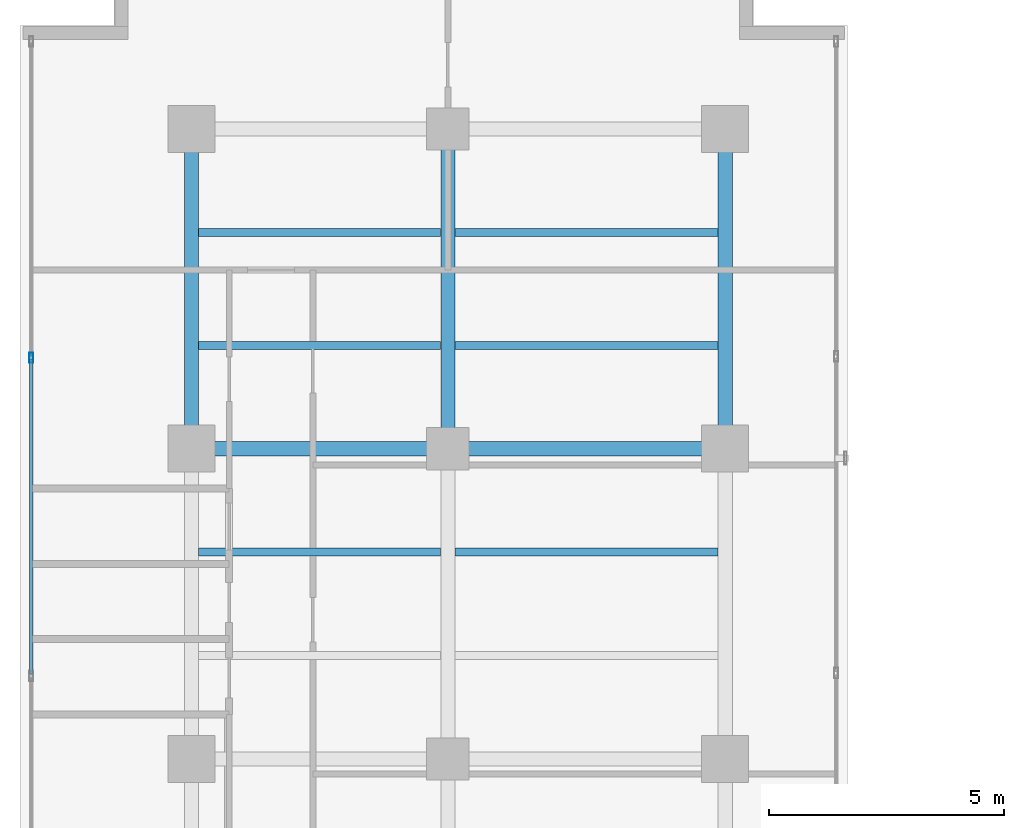
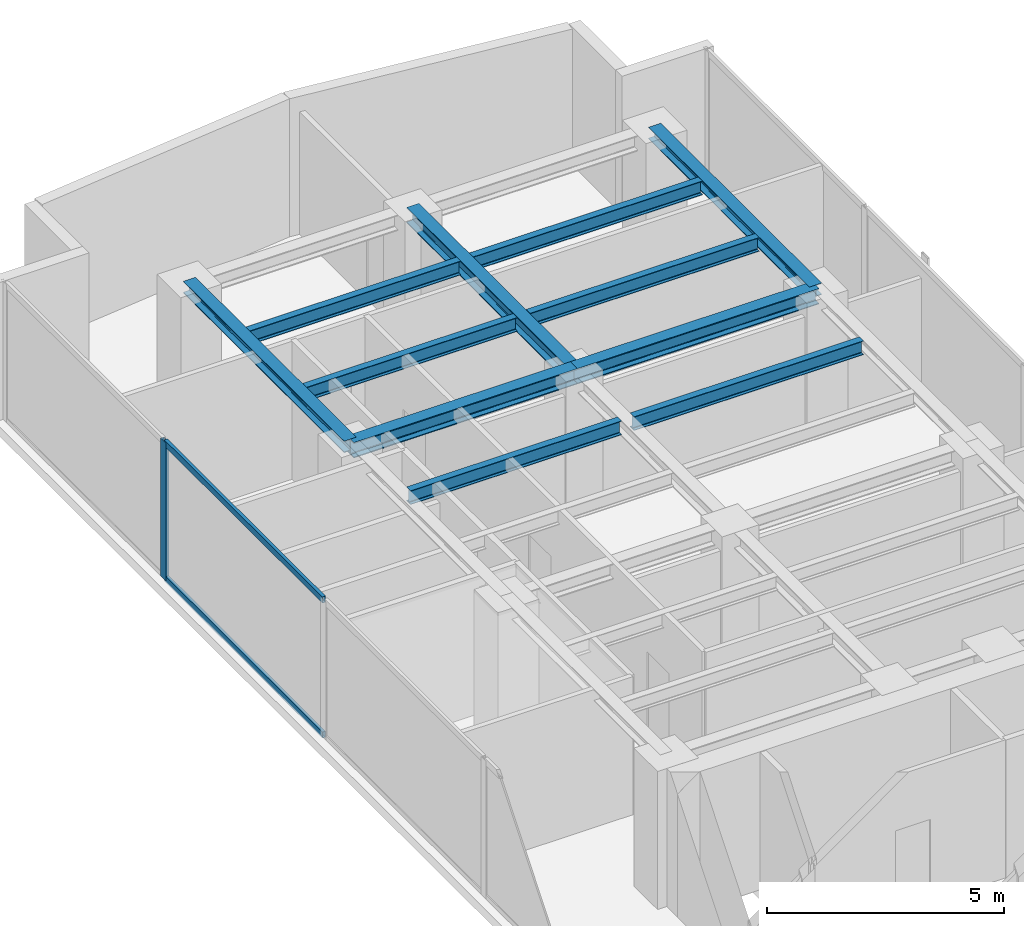
# One storey, part 13 of 23: 11 beams, 3 members, 1 element without a shape of its own.
"""IFC4 building model written with IfcOpenShell, lengths in metres."""

from ifc_helpers import new_model, si_unit, direction, frame, origin, origin_with_axes, origin_2d, place, context, subcontext, project, spatial, hollow_rectangle, i_section, extrude, source, transform, mapped, material, layer, layer_set, material_profile, profile_set, type_object, element, aggregate, save


model = new_model("IFC4")

# Units and contexts
model_context = context("Model", 3, precision=1e-05, world=origin(), true_north=direction((0.0, 1.0)))
body_context = subcontext(model_context, "Body", "Model", "MODEL_VIEW")
ifc_project = project(units=[si_unit("LENGTHUNIT", "METRE"), si_unit("AREAUNIT", "SQUARE_METRE"), si_unit("VOLUMEUNIT", "CUBIC_METRE"), si_unit("PLANEANGLEUNIT", "RADIAN"), si_unit("MASSUNIT", "GRAM", prefix="KILO")], contexts=[model_context])

# Site, building, storey
site_placement = place(None, origin())
site = spatial("IfcSite", under=ifc_project, at=site_placement, CompositionType="ELEMENT")
building_placement = place(site_placement, origin())
building = spatial("IfcBuilding", under=site, at=building_placement, Name="Kolvaren Waterfront Exchange", CompositionType="ELEMENT")
storey_placement = place(building_placement, frame((0.0, 0.0, 234.89990234375)))
storey = spatial("IfcBuildingStorey", under=building, at=storey_placement, Name="L60", CompositionType="ELEMENT", Elevation=234.89990234375)

# Beams
ifc_material_1 = material(Name="Steel S355", Category="steel")
ifc_material_profile_1 = material_profile(ifc_material_1, i_section(OverallWidth=0.300048828125, OverallDepth=0.300048828125, WebThickness=0.010986328125, FlangeThickness=0.01904296875, FilletRadius=0.027099609375, at=origin_2d()), Name="HEB300")
ifc_profile_set_1 = profile_set([ifc_material_profile_1], Name="Steel S355")
beam_type_1 = type_object("IfcBeamType", Name="STR-BM-HEB300", PredefinedType="SPANDREL", material=ifc_profile_set_1)
for number, where, z_axis, x_axis, name in (
    (1, (7.449951171875, 37.800048828125, 3.41015625), (0.0, 1.0, 0.0), (-1.0, 0.0, 0.0), "L60 north-arm edge beam 3"),
    (2, (18.800048828125, 37.800048828125, 3.41015625), (0.0, 1.0, 0.0), (-1.0, 0.0, 0.0), "L60 north-arm edge beam 3"),
):
    element("IfcBeam", number, at=place(storey_placement, frame(where, z_axis=z_axis, x_axis=x_axis)), inside=storey, type_object=beam_type_1, Name=name, PredefinedType="SPANDREL", context=body_context, shape_type="SweptSolid", body=[
        extrude(i_section(OverallWidth=0.300048828125, OverallDepth=0.300048828125, WebThickness=0.010986328125, FlangeThickness=0.01904296875, FilletRadius=0.027099609375, at=origin_2d()), origin(), (0.0, 0.0, 1.0), 6.800048828125),
    ])
ifc_material_profile_2 = material_profile(ifc_material_1, i_section(OverallWidth=0.300048828125, OverallDepth=0.39990234375, WebThickness=0.013427734375, FlangeThickness=0.02392578125, FilletRadius=0.027099609375, at=origin_2d()), Name="HEB400")
ifc_profile_set_2 = profile_set([ifc_material_profile_2], Name="Steel S355")
beam_type_2 = type_object("IfcBeamType", Name="STR-BM-HEB400", PredefinedType="BEAM", material=ifc_profile_set_2)
beam_1_placement = place(storey_placement, frame((7.449951171875, 37.800048828125, 3.360107421875), z_axis=(1.0, 0.0, 0.0), x_axis=(0.0, 1.0, 0.0)))
element("IfcBeam", 3, at=beam_1_placement, inside=storey, type_object=beam_type_2, Name="L60 north-arm girder 3A", PredefinedType="BEAM", context=body_context, shape_type="SweptSolid", body=[
    extrude(i_section(OverallWidth=0.300048828125, OverallDepth=0.39990234375, WebThickness=0.013427734375, FlangeThickness=0.02392578125, FilletRadius=0.027099609375, at=origin_2d()), origin(), (0.0, 0.0, 1.0), 5.449951171875),
])
beam_2_placement = place(storey_placement, frame((12.89990234375, 37.800048828125, 3.360107421875), z_axis=(1.0, 0.0, 0.0), x_axis=(0.0, 1.0, 0.0)))
element("IfcBeam", 4, at=beam_2_placement, inside=storey, type_object=beam_type_2, Name="L60 north-arm girder 3B", PredefinedType="BEAM", context=body_context, shape_type="SweptSolid", body=[
    extrude(i_section(OverallWidth=0.300048828125, OverallDepth=0.39990234375, WebThickness=0.013427734375, FlangeThickness=0.02392578125, FilletRadius=0.027099609375, at=origin_2d()), origin(), (0.0, 0.0, 1.0), 5.900146484375),
])
beam_3_placement = place(storey_placement, frame((12.89990234375, 37.800048828125, 3.360107421875), z_axis=(0.0, 1.0, 0.0), x_axis=(-1.0, 0.0, 0.0)))
element("IfcBeam", 5, at=beam_3_placement, inside=storey, type_object=beam_type_2, Name="L60 north-arm edge beam 3", PredefinedType="BEAM", context=body_context, shape_type="SweptSolid", body=[
    extrude(i_section(OverallWidth=0.300048828125, OverallDepth=0.39990234375, WebThickness=0.013427734375, FlangeThickness=0.02392578125, FilletRadius=0.027099609375, at=origin_2d()), origin(), (0.0, 0.0, 1.0), 6.800048828125),
])
ifc_material_profile_3 = material_profile(ifc_material_1, i_section(OverallWidth=0.169921875, OverallDepth=0.360107421875, WebThickness=0.008056640625, FlangeThickness=0.0126953125, FilletRadius=0.01806640625, at=origin_2d()), Name="IPE360")
ifc_profile_set_3 = profile_set([ifc_material_profile_3], Name="Steel S355")
beam_type_3 = type_object("IfcBeamType", Name="STR-BM-IPE360", PredefinedType="JOIST", material=ifc_profile_set_3)
beam_4_placement = place(storey_placement, frame((7.60205078125, 35.60009765625, 3.380126953125), z_axis=(1.0, 0.0, 0.0), x_axis=(0.0, 1.0, 0.0)))
element("IfcBeam", 6, at=beam_4_placement, inside=storey, type_object=beam_type_3, Name="L60 north-arm composite joist 4A", PredefinedType="JOIST", context=body_context, shape_type="SweptSolid", body=[
    extrude(i_section(OverallWidth=0.169921875, OverallDepth=0.360107421875, WebThickness=0.008056640625, FlangeThickness=0.0126953125, FilletRadius=0.01806640625, at=origin_2d()), origin(), (0.0, 0.0, 1.0), 5.14599609375),
])
beam_5_placement = place(storey_placement, frame((13.052001953125, 35.60009765625, 3.380126953125), z_axis=(1.0, 0.0, 0.0), x_axis=(0.0, 1.0, 0.0)))
element("IfcBeam", 7, at=beam_5_placement, inside=storey, type_object=beam_type_3, Name="L60 north-arm composite joist 4B", PredefinedType="JOIST", context=body_context, shape_type="SweptSolid", body=[
    extrude(i_section(OverallWidth=0.169921875, OverallDepth=0.360107421875, WebThickness=0.008056640625, FlangeThickness=0.0126953125, FilletRadius=0.01806640625, at=origin_2d()), origin(), (0.0, 0.0, 1.0), 5.595947265625),
])
beam_6_placement = place(storey_placement, frame((7.60205078125, 40.0, 3.380126953125), z_axis=(1.0, 0.0, 0.0), x_axis=(0.0, 1.0, 0.0)))
element("IfcBeam", 8, at=beam_6_placement, inside=storey, type_object=beam_type_3, Name="L60 north-arm composite joist 5A", PredefinedType="JOIST", context=body_context, shape_type="SweptSolid", body=[
    extrude(i_section(OverallWidth=0.169921875, OverallDepth=0.360107421875, WebThickness=0.008056640625, FlangeThickness=0.0126953125, FilletRadius=0.01806640625, at=origin_2d()), origin(), (0.0, 0.0, 1.0), 5.14599609375),
])
beam_7_placement = place(storey_placement, frame((13.052001953125, 40.0, 3.380126953125), z_axis=(1.0, 0.0, 0.0), x_axis=(0.0, 1.0, 0.0)))
element("IfcBeam", 9, at=beam_7_placement, inside=storey, type_object=beam_type_3, Name="L60 north-arm composite joist 5B", PredefinedType="JOIST", context=body_context, shape_type="SweptSolid", body=[
    extrude(i_section(OverallWidth=0.169921875, OverallDepth=0.360107421875, WebThickness=0.008056640625, FlangeThickness=0.0126953125, FilletRadius=0.01806640625, at=origin_2d()), origin(), (0.0, 0.0, 1.0), 5.595947265625),
])
beam_8_placement = place(storey_placement, frame((7.60205078125, 42.39990234375, 3.380126953125), z_axis=(1.0, 0.0, 0.0), x_axis=(0.0, 1.0, 0.0)))
element("IfcBeam", 10, at=beam_8_placement, inside=storey, type_object=beam_type_3, Name="L60 north-arm composite joist 6A", PredefinedType="JOIST", context=body_context, shape_type="SweptSolid", body=[
    extrude(i_section(OverallWidth=0.169921875, OverallDepth=0.360107421875, WebThickness=0.008056640625, FlangeThickness=0.0126953125, FilletRadius=0.01806640625, at=origin_2d()), origin(), (0.0, 0.0, 1.0), 5.14599609375),
])
beam_9_placement = place(storey_placement, frame((13.052001953125, 42.39990234375, 3.380126953125), z_axis=(1.0, 0.0, 0.0), x_axis=(0.0, 1.0, 0.0)))
element("IfcBeam", 11, at=beam_9_placement, inside=storey, type_object=beam_type_3, Name="L60 north-arm composite joist 6B", PredefinedType="JOIST", context=body_context, shape_type="SweptSolid", body=[
    extrude(i_section(OverallWidth=0.169921875, OverallDepth=0.360107421875, WebThickness=0.008056640625, FlangeThickness=0.0126953125, FilletRadius=0.01806640625, at=origin_2d()), origin(), (0.0, 0.0, 1.0), 5.595947265625),
])

# Curtain wall, members
ifc_material_2 = material(Name="Anodised aluminium 6063-T6", Category="aluminium")
ifc_layer = layer(ifc_material_2, 0.219970703125, Name="Anodised aluminium 6063-T6")
ifc_layer_set = layer_set([ifc_layer], Name="Anodised aluminium 6063-T6")
curtain_wall_type = type_object("IfcCurtainWallType", Name="ARC-CW-SYS2", PredefinedType="USERDEFINED", material=ifc_layer_set)
curtain_wall_placement = place(storey_placement, origin())
curtain_wall = element("IfcCurtainWall", 12, at=curtain_wall_placement, inside=storey, type_object=curtain_wall_type, Name="L60 stick curtain wall CW2 (CW-L60-W)", ObjectType="STICK CURTAIN WALL", PredefinedType="USERDEFINED")
ifc_material_profile_4 = material_profile(ifc_material_2, hollow_rectangle(XDim=0.080078125, YDim=0.219970703125, WallThickness=0.0048828125, at=origin_2d()), Name="ALU-MUL-220x80x5")
ifc_profile_set_4 = profile_set([ifc_material_profile_4], Name="Anodised aluminium 6063-T6")
member_type_1 = type_object("IfcMemberType", Name="ARC-CWM-220", PredefinedType="MULLION", material=ifc_profile_set_4)
shared_shape_1 = source(origin_with_axes(), body_context, "Body", "SweptSolid", [
    extrude(hollow_rectangle(XDim=0.080078125, YDim=0.219970703125, WallThickness=0.0048828125, at=origin_2d()), origin(), (0.0, 0.0, 1.0), 3.56005859375),
])
member_1_placement = place(storey_placement, frame((4.0400390625, 39.7333984375, 0.0), z_axis=(0.0, 0.0, 1.0), x_axis=(-1.0, 0.0, 0.0)))
member_1 = element("IfcMember", 13, at=member_1_placement, type_object=member_type_1, Name="CW2 mullion 6", PredefinedType="MULLION", context=body_context, shape_type="MappedRepresentation", body=[
    mapped(shared_shape_1, transform((0.0, 0.0, 0.0), x_axis=(1.0, 0.0, 0.0), y_axis=(0.0, 1.0, 0.0), z_axis=(0.0, 0.0, 1.0), scale=1.0)),
])
ifc_material_profile_5 = material_profile(ifc_material_2, hollow_rectangle(XDim=0.074951171875, YDim=0.159912109375, WallThickness=0.00439453125, at=origin_2d()), Name="ALU-TRN-160x75x4.5")
ifc_profile_set_5 = profile_set([ifc_material_profile_5], Name="Anodised aluminium 6063-T6")
member_type_2 = type_object("IfcMemberType", Name="ARC-CWT-160", PredefinedType="USERDEFINED", material=ifc_profile_set_5)
shared_shape_2 = source(origin_with_axes(), body_context, "Body", "SweptSolid", [
    extrude(hollow_rectangle(XDim=0.074951171875, YDim=0.159912109375, WallThickness=0.00439453125, at=origin_2d()), origin(), (0.0, 0.0, 1.0), 6.686767578125),
])
member_2_placement = place(storey_placement, frame((4.0400390625, 33.006591796875, 0.03759765625), z_axis=(0.0, 1.0, 0.0), x_axis=(-1.0, 0.0, 0.0)))
member_2 = element("IfcMember", 14, at=member_2_placement, type_object=member_type_2, Name="CW2 transom 5.1", ObjectType="TRANSOM", PredefinedType="USERDEFINED", context=body_context, shape_type="MappedRepresentation", body=[
    mapped(shared_shape_2, transform((0.0, 0.0, 0.0), x_axis=(1.0, 0.0, 0.0), y_axis=(0.0, 1.0, 0.0), z_axis=(0.0, 0.0, 1.0), scale=1.0)),
])
member_3_placement = place(storey_placement, frame((4.0400390625, 33.006591796875, 3.522705078125), z_axis=(0.0, 1.0, 0.0), x_axis=(-1.0, 0.0, 0.0)))
member_3 = element("IfcMember", 15, at=member_3_placement, type_object=member_type_2, Name="CW2 transom 5.2", ObjectType="TRANSOM", PredefinedType="USERDEFINED", context=body_context, shape_type="MappedRepresentation", body=[
    mapped(shared_shape_2, transform((0.0, 0.0, 0.0), x_axis=(1.0, 0.0, 0.0), y_axis=(0.0, 1.0, 0.0), z_axis=(0.0, 0.0, 1.0), scale=1.0)),
])
aggregate(curtain_wall, [member_1, member_2, member_3])

save(model, "model.ifc")
